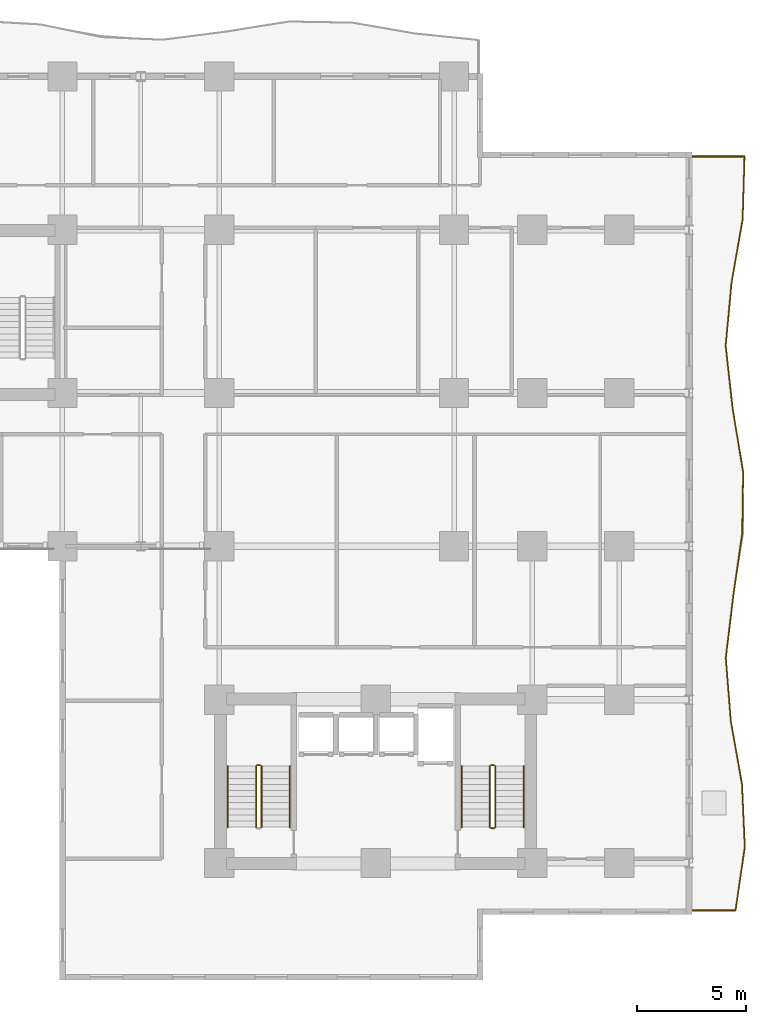
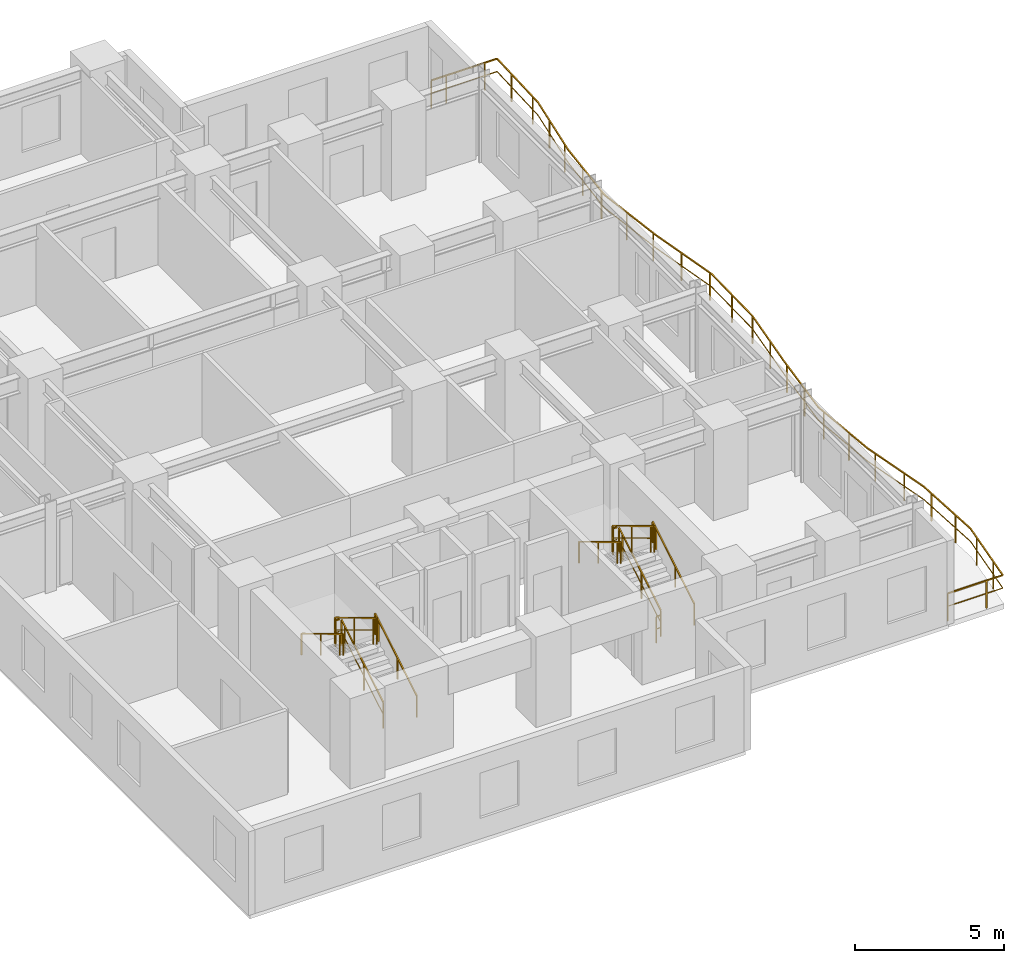
# One storey, part 10 of 11: 12 railings.
"""IFC4 building model written with IfcOpenShell, lengths in metres."""

from ifc_helpers import new_model, si_unit, direction, frame, origin, origin_2d, place, context, subcontext, project, spatial, rectangle, extrude, material, type_object, element, save


model = new_model("IFC4")

# Units and contexts
model_context = context("Model", 3, precision=1e-05, world=origin(), true_north=direction((0.0, 1.0)))
body_context = subcontext(model_context, "Body", "Model", "MODEL_VIEW")
ifc_project = project(units=[si_unit("LENGTHUNIT", "METRE"), si_unit("AREAUNIT", "SQUARE_METRE"), si_unit("VOLUMEUNIT", "CUBIC_METRE"), si_unit("PLANEANGLEUNIT", "RADIAN"), si_unit("MASSUNIT", "GRAM", prefix="KILO")], contexts=[model_context])

# Site, building, storey
site_placement = place(None, origin())
site = spatial("IfcSite", under=ifc_project, at=site_placement, CompositionType="ELEMENT")
building_placement = place(site_placement, origin())
building = spatial("IfcBuilding", under=site, at=building_placement, Name="Kaliganga Portal Commons", CompositionType="ELEMENT")
storey_placement = place(building_placement, frame((0.0, 0.0, 66.0)))
storey = spatial("IfcBuildingStorey", under=building, at=storey_placement, Name="L16", CompositionType="ELEMENT", Elevation=66.0)

# Railings
ifc_material_1 = material(Name="Laminated Safety Glass and Stainless Steel 316", Category="steel")
railing_type_1 = type_object("IfcRailingType", Name="RLG-BAL-1150", PredefinedType="BALUSTRADE", material=ifc_material_1)
railing_1_placement = place(storey_placement, frame((57.608642578125, 4.87939453125, 0.0)))
element("IfcRailing", 1, at=railing_1_placement, inside=storey, type_object=railing_type_1, Name="Balcony Guardrail L16 balc_east", PredefinedType="BALUSTRADE", context=body_context, shape_type="SweptSolid", body=[
    extrude(rectangle(XDim=0.048095703125, YDim=0.048095703125, at=origin_2d()), frame((0.0, 0.0, 1.1259765625), z_axis=(0.999999973812, 0.000228859131, 0.0), x_axis=(-0.000228859131, 0.999999973812, 0.0)), (0.0, 0.0, 1.0), 2.133544921875),
    extrude(rectangle(XDim=0.028076171875, YDim=0.028076171875, at=origin_2d()), frame((0.0, 0.0, 0.597900390625), z_axis=(0.999999973812, 0.000228859131, 0.0), x_axis=(-0.000228859131, 0.999999973812, 0.0)), (0.0, 0.0, 1.0), 2.133544921875),
    extrude(rectangle(XDim=0.048095703125, YDim=0.048095703125, at=origin_2d()), frame((2.133544921875, 0.00048828125, 1.1259765625), z_axis=(0.145187032226, 0.989404227641, 0.0), x_axis=(-0.989404227641, 0.145187032226, 0.0)), (0.0, 0.0, 1.0), 2.930908203125),
    extrude(rectangle(XDim=0.028076171875, YDim=0.028076171875, at=origin_2d()), frame((2.133544921875, 0.00048828125, 0.597900390625), z_axis=(0.145187032226, 0.989404227641, 0.0), x_axis=(-0.989404227641, 0.145187032226, 0.0)), (0.0, 0.0, 1.0), 2.930908203125),
    extrude(rectangle(XDim=0.048095703125, YDim=0.048095703125, at=origin_2d()), frame((2.55908203125, 2.900390625, 1.1259765625), z_axis=(-0.044656139695, 0.999002417008, 0.0), x_axis=(-0.999002417008, -0.044656139695, 0.0)), (0.0, 0.0, 1.0), 2.903076171875),
    extrude(rectangle(XDim=0.028076171875, YDim=0.028076171875, at=origin_2d()), frame((2.55908203125, 2.900390625, 0.597900390625), z_axis=(-0.044656139695, 0.999002417008, 0.0), x_axis=(-0.999002417008, -0.044656139695, 0.0)), (0.0, 0.0, 1.0), 2.903076171875),
    extrude(rectangle(XDim=0.048095703125, YDim=0.048095703125, at=origin_2d()), frame((2.429443359375, 5.800537109375, 1.1259765625), z_axis=(-0.174886925455, 0.98458852487, 0.0), x_axis=(-0.98458852487, -0.174886925455, 0.0)), (0.0, 0.0, 1.0), 2.945556640625),
    extrude(rectangle(XDim=0.028076171875, YDim=0.028076171875, at=origin_2d()), frame((2.429443359375, 5.800537109375, 0.597900390625), z_axis=(-0.174886925455, 0.98458852487, 0.0), x_axis=(-0.98458852487, -0.174886925455, 0.0)), (0.0, 0.0, 1.0), 2.945556640625),
    extrude(rectangle(XDim=0.048095703125, YDim=0.048095703125, at=origin_2d()), frame((1.914306640625, 8.70068359375, 1.1259765625), z_axis=(-0.078641026256, 0.996902998786, 0.0), x_axis=(-0.996902998786, -0.078641026256, 0.0)), (0.0, 0.0, 1.0), 2.908935546875),
    extrude(rectangle(XDim=0.028076171875, YDim=0.028076171875, at=origin_2d()), frame((1.914306640625, 8.70068359375, 0.597900390625), z_axis=(-0.078641026256, 0.996902998786, 0.0), x_axis=(-0.996902998786, -0.078641026256, 0.0)), (0.0, 0.0, 1.0), 2.908935546875),
    extrude(rectangle(XDim=0.048095703125, YDim=0.048095703125, at=origin_2d()), frame((1.685546875, 11.6005859375, 1.1259765625), z_axis=(0.119857090136, 0.992791155251, 0.0), x_axis=(-0.992791155251, 0.119857090136, 0.0)), (0.0, 0.0, 1.0), 2.9208984375),
    extrude(rectangle(XDim=0.028076171875, YDim=0.028076171875, at=origin_2d()), frame((1.685546875, 11.6005859375, 0.597900390625), z_axis=(0.119857090136, 0.992791155251, 0.0), x_axis=(-0.992791155251, 0.119857090136, 0.0)), (0.0, 0.0, 1.0), 2.9208984375),
    extrude(rectangle(XDim=0.048095703125, YDim=0.048095703125, at=origin_2d()), frame((2.03564453125, 14.50048828125, 1.1259765625), z_axis=(0.141997205102, 0.989867058621, 0.0), x_axis=(-0.989867058621, 0.141997205102, 0.0)), (0.0, 0.0, 1.0), 2.848876953125),
    extrude(rectangle(XDim=0.028076171875, YDim=0.028076171875, at=origin_2d()), frame((2.03564453125, 14.50048828125, 0.597900390625), z_axis=(0.141997205102, 0.989867058621, 0.0), x_axis=(-0.989867058621, 0.141997205102, 0.0)), (0.0, 0.0, 1.0), 2.848876953125),
    extrude(rectangle(XDim=0.048095703125, YDim=0.048095703125, at=origin_2d()), frame((2.440185546875, 17.320556640625, 1.1259765625), z_axis=(0.014879819845, 0.999889289352, 0.0), x_axis=(-0.999889289352, 0.014879819845, 0.0)), (0.0, 0.0, 1.0), 2.822021484375),
    extrude(rectangle(XDim=0.028076171875, YDim=0.028076171875, at=origin_2d()), frame((2.440185546875, 17.320556640625, 0.597900390625), z_axis=(0.014879819845, 0.999889289352, 0.0), x_axis=(-0.999889289352, 0.014879819845, 0.0)), (0.0, 0.0, 1.0), 2.822021484375),
    extrude(rectangle(XDim=0.048095703125, YDim=0.048095703125, at=origin_2d()), frame((2.482177734375, 20.142333984375, 1.1259765625), z_axis=(-0.163792541792, 0.986494806501, 0.0), x_axis=(-0.986494806501, -0.163792541792, 0.0)), (0.0, 0.0, 1.0), 2.93798828125),
    extrude(rectangle(XDim=0.028076171875, YDim=0.028076171875, at=origin_2d()), frame((2.482177734375, 20.142333984375, 0.597900390625), z_axis=(-0.163792541792, 0.986494806501, 0.0), x_axis=(-0.986494806501, -0.163792541792, 0.0)), (0.0, 0.0, 1.0), 2.93798828125),
    extrude(rectangle(XDim=0.048095703125, YDim=0.048095703125, at=origin_2d()), frame((2.0009765625, 23.04052734375, 1.1259765625), z_axis=(-0.109779462263, 0.993955969681, 0.0), x_axis=(-0.993955969681, -0.109779462263, 0.0)), (0.0, 0.0, 1.0), 2.917724609375),
    extrude(rectangle(XDim=0.028076171875, YDim=0.028076171875, at=origin_2d()), frame((2.0009765625, 23.04052734375, 0.597900390625), z_axis=(-0.109779462263, 0.993955969681, 0.0), x_axis=(-0.993955969681, -0.109779462263, 0.0)), (0.0, 0.0, 1.0), 2.917724609375),
    extrude(rectangle(XDim=0.048095703125, YDim=0.048095703125, at=origin_2d()), frame((1.6806640625, 25.940673828125, 1.1259765625), z_axis=(0.091964240973, 0.995762310184, 0.0), x_axis=(-0.995762310184, 0.091964240973, 0.0)), (0.0, 0.0, 1.0), 2.912353515625),
    extrude(rectangle(XDim=0.028076171875, YDim=0.028076171875, at=origin_2d()), frame((1.6806640625, 25.940673828125, 0.597900390625), z_axis=(0.091964240973, 0.995762310184, 0.0), x_axis=(-0.995762310184, 0.091964240973, 0.0)), (0.0, 0.0, 1.0), 2.912353515625),
    extrude(rectangle(XDim=0.048095703125, YDim=0.048095703125, at=origin_2d()), frame((1.948486328125, 28.840576171875, 1.1259765625), z_axis=(0.17295752884, 0.984929283359, 0.0), x_axis=(-0.984929283359, 0.17295752884, 0.0)), (0.0, 0.0, 1.0), 2.944580078125),
    extrude(rectangle(XDim=0.028076171875, YDim=0.028076171875, at=origin_2d()), frame((1.948486328125, 28.840576171875, 0.597900390625), z_axis=(0.17295752884, 0.984929283359, 0.0), x_axis=(-0.984929283359, 0.17295752884, 0.0)), (0.0, 0.0, 1.0), 2.944580078125),
    extrude(rectangle(XDim=0.048095703125, YDim=0.048095703125, at=origin_2d()), frame((2.457763671875, 31.74072265625, 1.1259765625), z_axis=(0.030041998949, 0.999548637285, 0.0), x_axis=(-0.999548637285, 0.030041998949, 0.0)), (0.0, 0.0, 1.0), 2.901123046875),
    extrude(rectangle(XDim=0.028076171875, YDim=0.028076171875, at=origin_2d()), frame((2.457763671875, 31.74072265625, 0.597900390625), z_axis=(0.030041998949, 0.999548637285, 0.0), x_axis=(-0.999548637285, 0.030041998949, 0.0)), (0.0, 0.0, 1.0), 2.901123046875),
    extrude(rectangle(XDim=0.048095703125, YDim=0.048095703125, at=origin_2d()), frame((2.544921875, 34.640625, 1.1259765625), z_axis=(-0.999999981594, 0.000191864924, 0.0), x_axis=(-0.000191864924, -0.999999981594, 0.0)), (0.0, 0.0, 1.0), 2.544921875),
    extrude(rectangle(XDim=0.028076171875, YDim=0.028076171875, at=origin_2d()), frame((2.544921875, 34.640625, 0.597900390625), z_axis=(-0.999999981594, 0.000191864924, 0.0), x_axis=(-0.000191864924, -0.999999981594, 0.0)), (0.0, 0.0, 1.0), 2.544921875),
    extrude(rectangle(XDim=0.0419921875, YDim=0.0419921875, at=origin_2d()), origin(), (0.0, 0.0, 1.0), 1.101806640625),
    extrude(rectangle(XDim=0.0419921875, YDim=0.0419921875, at=origin_2d()), frame((1.5, 0.000244140625, 0.0)), (0.0, 0.0, 1.0), 1.101806640625),
    extrude(rectangle(XDim=0.0419921875, YDim=0.0419921875, at=origin_2d()), frame((2.25927734375, 0.857666015625, 0.0)), (0.0, 0.0, 1.0), 1.101806640625),
    extrude(rectangle(XDim=0.0419921875, YDim=0.0419921875, at=origin_2d()), frame((2.47705078125, 2.341796875, 0.0)), (0.0, 0.0, 1.0), 1.101806640625),
    extrude(rectangle(XDim=0.0419921875, YDim=0.0419921875, at=origin_2d()), frame((2.517333984375, 3.8349609375, 0.0)), (0.0, 0.0, 1.0), 1.101806640625),
    extrude(rectangle(XDim=0.0419921875, YDim=0.0419921875, at=origin_2d()), frame((2.450439453125, 5.33349609375, 0.0)), (0.0, 0.0, 1.0), 1.101806640625),
    extrude(rectangle(XDim=0.0419921875, YDim=0.0419921875, at=origin_2d()), frame((2.248779296875, 6.817138671875, 0.0)), (0.0, 0.0, 1.0), 1.101806640625),
    extrude(rectangle(XDim=0.0419921875, YDim=0.0419921875, at=origin_2d()), frame((1.986572265625, 8.2939453125, 0.0)), (0.0, 0.0, 1.0), 1.101806640625),
    extrude(rectangle(XDim=0.0419921875, YDim=0.0419921875, at=origin_2d()), frame((1.828857421875, 9.7841796875, 0.0)), (0.0, 0.0, 1.0), 1.101806640625),
    extrude(rectangle(XDim=0.0419921875, YDim=0.0419921875, at=origin_2d()), frame((1.7109375, 11.279541015625, 0.0)), (0.0, 0.0, 1.0), 1.101806640625),
    extrude(rectangle(XDim=0.0419921875, YDim=0.0419921875, at=origin_2d()), frame((1.82666015625, 12.77001953125, 0.0)), (0.0, 0.0, 1.0), 1.101806640625),
    extrude(rectangle(XDim=0.0419921875, YDim=0.0419921875, at=origin_2d()), frame((2.006591796875, 14.25927734375, 0.0)), (0.0, 0.0, 1.0), 1.101806640625),
    extrude(rectangle(XDim=0.0419921875, YDim=0.0419921875, at=origin_2d()), frame((2.214111328125, 15.744873046875, 0.0)), (0.0, 0.0, 1.0), 1.101806640625),
    extrude(rectangle(XDim=0.0419921875, YDim=0.0419921875, at=origin_2d()), frame((2.440185546875, 17.320556640625, 0.0)), (0.0, 0.0, 1.0), 1.101806640625),
    extrude(rectangle(XDim=0.0419921875, YDim=0.0419921875, at=origin_2d()), frame((2.461181640625, 18.728515625, 0.0)), (0.0, 0.0, 1.0), 1.101806640625),
    extrude(rectangle(XDim=0.0419921875, YDim=0.0419921875, at=origin_2d()), frame((2.468017578125, 20.227294921875, 0.0)), (0.0, 0.0, 1.0), 1.101806640625),
    extrude(rectangle(XDim=0.0419921875, YDim=0.0419921875, at=origin_2d()), frame((2.222412109375, 21.70703125, 0.0)), (0.0, 0.0, 1.0), 1.101806640625),
    extrude(rectangle(XDim=0.0419921875, YDim=0.0419921875, at=origin_2d()), frame((1.984619140625, 23.187744140625, 0.0)), (0.0, 0.0, 1.0), 1.101806640625),
    extrude(rectangle(XDim=0.0419921875, YDim=0.0419921875, at=origin_2d()), frame((1.820068359375, 24.6787109375, 0.0)), (0.0, 0.0, 1.0), 1.101806640625),
    extrude(rectangle(XDim=0.0419921875, YDim=0.0419921875, at=origin_2d()), frame((1.701904296875, 26.170166015625, 0.0)), (0.0, 0.0, 1.0), 1.101806640625),
    extrude(rectangle(XDim=0.0419921875, YDim=0.0419921875, at=origin_2d()), frame((1.83984375, 27.663818359375, 0.0)), (0.0, 0.0, 1.0), 1.101806640625),
    extrude(rectangle(XDim=0.0419921875, YDim=0.0419921875, at=origin_2d()), frame((2.00341796875, 29.15380859375, 0.0)), (0.0, 0.0, 1.0), 1.101806640625),
    extrude(rectangle(XDim=0.0419921875, YDim=0.0419921875, at=origin_2d()), frame((2.262939453125, 30.63134765625, 0.0)), (0.0, 0.0, 1.0), 1.101806640625),
    extrude(rectangle(XDim=0.0419921875, YDim=0.0419921875, at=origin_2d()), frame((2.468994140625, 32.1142578125, 0.0)), (0.0, 0.0, 1.0), 1.101806640625),
    extrude(rectangle(XDim=0.0419921875, YDim=0.0419921875, at=origin_2d()), frame((2.51416015625, 33.613525390625, 0.0)), (0.0, 0.0, 1.0), 1.101806640625),
    extrude(rectangle(XDim=0.0419921875, YDim=0.0419921875, at=origin_2d()), frame((2.072509765625, 34.640625, 0.0)), (0.0, 0.0, 1.0), 1.101806640625),
    extrude(rectangle(XDim=0.0419921875, YDim=0.0419921875, at=origin_2d()), frame((0.572509765625, 34.64111328125, 0.0)), (0.0, 0.0, 1.0), 1.101806640625),
    extrude(rectangle(XDim=0.0419921875, YDim=0.0419921875, at=origin_2d()), frame((0.0, 34.64111328125, 0.0)), (0.0, 0.0, 1.0), 1.101806640625),
])
ifc_material_2 = material(Name="Galvanized Painted Steel Balustrade", Category="steel")
railing_type_2 = type_object("IfcRailingType", Name="RLG-STAIR-GRD", PredefinedType="GUARDRAIL", material=ifc_material_2)
railing_2_placement = place(storey_placement, frame((37.949951171875, 8.699951171875, 0.168212890625)))
element("IfcRailing", 2, at=railing_2_placement, inside=storey, type_object=railing_type_2, Name="L16 ST-B1 stair guard 1", PredefinedType="GUARDRAIL", context=body_context, shape_type="SweptSolid", body=[
    extrude(rectangle(XDim=0.048095703125, YDim=0.048095703125, at=origin_2d()), frame((0.0, 0.0, 1.072021484375), z_axis=(0.0, 0.857242210791, 0.514913383045), x_axis=(-1.0, 0.0, 0.0)), (0.0, 0.0, 1.0), 3.266357421875),
    extrude(rectangle(XDim=0.028076171875, YDim=0.028076171875, at=origin_2d()), frame((0.0, 0.0, 0.572021484375), z_axis=(0.0, 0.857242210791, 0.514913383045), x_axis=(-1.0, 0.0, 0.0)), (0.0, 0.0, 1.0), 3.266357421875),
    extrude(rectangle(XDim=0.0419921875, YDim=0.0419921875, at=origin_2d()), origin(), (0.0, 0.0, 1.0), 1.052001953125),
    extrude(rectangle(XDim=0.0419921875, YDim=0.0419921875, at=origin_2d()), frame((0.0, 1.285888671875, 0.7724609375)), (0.0, 0.0, 1.0), 1.052001953125),
    extrude(rectangle(XDim=0.0419921875, YDim=0.0419921875, at=origin_2d()), frame((0.0, 2.57177734375, 1.544677734375)), (0.0, 0.0, 1.0), 1.052001953125),
    extrude(rectangle(XDim=0.0419921875, YDim=0.0419921875, at=origin_2d()), frame((0.0, 2.800048828125, 1.681884765625)), (0.0, 0.0, 1.0), 1.052001953125),
])
railing_3_placement = place(storey_placement, frame((37.89990234375, 11.550048828125, 1.85009765625)))
element("IfcRailing", 3, at=railing_3_placement, inside=storey, type_object=railing_type_2, Name="L16 ST-B1 stair guard 2", PredefinedType="GUARDRAIL", context=body_context, shape_type="SweptSolid", body=[
    extrude(rectangle(XDim=0.048095703125, YDim=0.048095703125, at=origin_2d()), frame((0.0, 0.0, 1.076171875), z_axis=(-1.0, 0.0, 0.0), x_axis=(0.0, -1.0, 0.0)), (0.0, 0.0, 1.0), 0.14990234375),
    extrude(rectangle(XDim=0.028076171875, YDim=0.028076171875, at=origin_2d()), frame((0.0, 0.0, 0.572021484375), z_axis=(-1.0, 0.0, 0.0), x_axis=(0.0, -1.0, 0.0)), (0.0, 0.0, 1.0), 0.14990234375),
    extrude(rectangle(XDim=0.0419921875, YDim=0.0419921875, at=origin_2d()), frame((-0.14990234375, 0.0, 0.0)), (0.0, 0.0, 1.0), 1.052001953125),
])
railing_4_placement = place(storey_placement, frame((37.699951171875, 11.5, 2.01806640625)))
element("IfcRailing", 4, at=railing_4_placement, inside=storey, type_object=railing_type_2, Name="L16 ST-B1 stair guard 3", PredefinedType="GUARDRAIL", context=body_context, shape_type="SweptSolid", body=[
    extrude(rectangle(XDim=0.048095703125, YDim=0.048095703125, at=origin_2d()), frame((0.0, 0.0, 1.072021484375), z_axis=(0.0, -0.857242210791, 0.514913383045), x_axis=(1.0, 0.0, 0.0)), (0.0, 0.0, 1.0), 3.266357421875),
    extrude(rectangle(XDim=0.028076171875, YDim=0.028076171875, at=origin_2d()), frame((0.0, 0.0, 0.572021484375), z_axis=(0.0, -0.857242210791, 0.514913383045), x_axis=(1.0, 0.0, 0.0)), (0.0, 0.0, 1.0), 3.266357421875),
    extrude(rectangle(XDim=0.0419921875, YDim=0.0419921875, at=origin_2d()), origin(), (0.0, 0.0, 1.0), 1.052001953125),
    extrude(rectangle(XDim=0.0419921875, YDim=0.0419921875, at=origin_2d()), frame((0.0, -1.285888671875, 0.7724609375)), (0.0, 0.0, 1.0), 1.052001953125),
    extrude(rectangle(XDim=0.0419921875, YDim=0.0419921875, at=origin_2d()), frame((0.0, -2.57177734375, 1.544677734375)), (0.0, 0.0, 1.0), 1.052001953125),
    extrude(rectangle(XDim=0.0419921875, YDim=0.0419921875, at=origin_2d()), frame((0.0, -2.800048828125, 1.681884765625)), (0.0, 0.0, 1.0), 1.052001953125),
])
railing_5_placement = place(storey_placement, frame((48.699951171875, 8.699951171875, 0.168212890625)))
element("IfcRailing", 5, at=railing_5_placement, inside=storey, type_object=railing_type_2, Name="L16 ST-B2 stair guard 1", PredefinedType="GUARDRAIL", context=body_context, shape_type="SweptSolid", body=[
    extrude(rectangle(XDim=0.048095703125, YDim=0.048095703125, at=origin_2d()), frame((0.0, 0.0, 1.072021484375), z_axis=(0.0, 0.857242210791, 0.514913383045), x_axis=(-1.0, 0.0, 0.0)), (0.0, 0.0, 1.0), 3.266357421875),
    extrude(rectangle(XDim=0.028076171875, YDim=0.028076171875, at=origin_2d()), frame((0.0, 0.0, 0.572021484375), z_axis=(0.0, 0.857242210791, 0.514913383045), x_axis=(-1.0, 0.0, 0.0)), (0.0, 0.0, 1.0), 3.266357421875),
    extrude(rectangle(XDim=0.0419921875, YDim=0.0419921875, at=origin_2d()), origin(), (0.0, 0.0, 1.0), 1.052001953125),
    extrude(rectangle(XDim=0.0419921875, YDim=0.0419921875, at=origin_2d()), frame((0.0, 1.285888671875, 0.7724609375)), (0.0, 0.0, 1.0), 1.052001953125),
    extrude(rectangle(XDim=0.0419921875, YDim=0.0419921875, at=origin_2d()), frame((0.0, 2.57177734375, 1.544677734375)), (0.0, 0.0, 1.0), 1.052001953125),
    extrude(rectangle(XDim=0.0419921875, YDim=0.0419921875, at=origin_2d()), frame((0.0, 2.800048828125, 1.681884765625)), (0.0, 0.0, 1.0), 1.052001953125),
])
railing_6_placement = place(storey_placement, frame((48.64990234375, 11.550048828125, 1.85009765625)))
element("IfcRailing", 6, at=railing_6_placement, inside=storey, type_object=railing_type_2, Name="L16 ST-B2 stair guard 2", PredefinedType="GUARDRAIL", context=body_context, shape_type="SweptSolid", body=[
    extrude(rectangle(XDim=0.048095703125, YDim=0.048095703125, at=origin_2d()), frame((0.0, 0.0, 1.076171875), z_axis=(-1.0, 0.0, 0.0), x_axis=(0.0, -1.0, 0.0)), (0.0, 0.0, 1.0), 0.14990234375),
    extrude(rectangle(XDim=0.028076171875, YDim=0.028076171875, at=origin_2d()), frame((0.0, 0.0, 0.572021484375), z_axis=(-1.0, 0.0, 0.0), x_axis=(0.0, -1.0, 0.0)), (0.0, 0.0, 1.0), 0.14990234375),
    extrude(rectangle(XDim=0.0419921875, YDim=0.0419921875, at=origin_2d()), frame((-0.14990234375, 0.0, 0.0)), (0.0, 0.0, 1.0), 1.052001953125),
])
railing_7_placement = place(storey_placement, frame((48.449951171875, 11.5, 2.01806640625)))
element("IfcRailing", 7, at=railing_7_placement, inside=storey, type_object=railing_type_2, Name="L16 ST-B2 stair guard 3", PredefinedType="GUARDRAIL", context=body_context, shape_type="SweptSolid", body=[
    extrude(rectangle(XDim=0.048095703125, YDim=0.048095703125, at=origin_2d()), frame((0.0, 0.0, 1.072021484375), z_axis=(0.0, -0.857242210791, 0.514913383045), x_axis=(1.0, 0.0, 0.0)), (0.0, 0.0, 1.0), 3.266357421875),
    extrude(rectangle(XDim=0.028076171875, YDim=0.028076171875, at=origin_2d()), frame((0.0, 0.0, 0.572021484375), z_axis=(0.0, -0.857242210791, 0.514913383045), x_axis=(1.0, 0.0, 0.0)), (0.0, 0.0, 1.0), 3.266357421875),
    extrude(rectangle(XDim=0.0419921875, YDim=0.0419921875, at=origin_2d()), origin(), (0.0, 0.0, 1.0), 1.052001953125),
    extrude(rectangle(XDim=0.0419921875, YDim=0.0419921875, at=origin_2d()), frame((0.0, -1.285888671875, 0.7724609375)), (0.0, 0.0, 1.0), 1.052001953125),
    extrude(rectangle(XDim=0.0419921875, YDim=0.0419921875, at=origin_2d()), frame((0.0, -2.57177734375, 1.544677734375)), (0.0, 0.0, 1.0), 1.052001953125),
    extrude(rectangle(XDim=0.0419921875, YDim=0.0419921875, at=origin_2d()), frame((0.0, -2.800048828125, 1.681884765625)), (0.0, 0.0, 1.0), 1.052001953125),
])
railing_8_placement = place(storey_placement, frame((48.64990234375, 8.64990234375, 0.0)))
element("IfcRailing", 8, at=railing_8_placement, inside=storey, type_object=railing_type_2, Name="L16 ST-B2 stair guard 4", PredefinedType="GUARDRAIL", context=body_context, shape_type="SweptSolid", body=[
    extrude(rectangle(XDim=0.048095703125, YDim=0.048095703125, at=origin_2d()), frame((0.0, 0.0, 1.076171875), z_axis=(-1.0, 0.0, 0.0), x_axis=(0.0, -1.0, 0.0)), (0.0, 0.0, 1.0), 0.14990234375),
    extrude(rectangle(XDim=0.028076171875, YDim=0.028076171875, at=origin_2d()), frame((0.0, 0.0, 0.572021484375), z_axis=(-1.0, 0.0, 0.0), x_axis=(0.0, -1.0, 0.0)), (0.0, 0.0, 1.0), 0.14990234375),
    extrude(rectangle(XDim=0.0419921875, YDim=0.0419921875, at=origin_2d()), frame((-0.14990234375, 0.0, 0.0)), (0.0, 0.0, 1.0), 1.052001953125),
])
ifc_material_3 = material(Name="Brushed Stainless Steel 316", Category="steel")
railing_type_3 = type_object("IfcRailingType", Name="RLG-STAIR-HR", PredefinedType="HANDRAIL", material=ifc_material_3)
railing_9_placement = place(storey_placement, frame((39.25, 8.699951171875, 0.168212890625)))
element("IfcRailing", 9, at=railing_9_placement, inside=storey, type_object=railing_type_3, Name="L16 ST-B1 stair handrail 1", PredefinedType="HANDRAIL", context=body_context, shape_type="SweptSolid", body=[
    extrude(rectangle(XDim=0.048095703125, YDim=0.048095703125, at=origin_2d()), frame((0.0, 0.0, 0.871826171875), z_axis=(0.0, 0.857242210791, 0.514913383045), x_axis=(-1.0, 0.0, 0.0)), (0.0, 0.0, 1.0), 3.266357421875),
    extrude(rectangle(XDim=0.0419921875, YDim=0.0419921875, at=origin_2d()), origin(), (0.0, 0.0, 1.0), 0.851806640625),
    extrude(rectangle(XDim=0.0419921875, YDim=0.0419921875, at=origin_2d()), frame((0.0, 1.285888671875, 0.7724609375)), (0.0, 0.0, 1.0), 0.851806640625),
    extrude(rectangle(XDim=0.0419921875, YDim=0.0419921875, at=origin_2d()), frame((0.0, 2.57177734375, 1.544677734375)), (0.0, 0.0, 1.0), 0.851806640625),
    extrude(rectangle(XDim=0.0419921875, YDim=0.0419921875, at=origin_2d()), frame((0.0, 2.800048828125, 1.681884765625)), (0.0, 0.0, 1.0), 0.851806640625),
])
railing_10_placement = place(storey_placement, frame((36.39990234375, 11.5, 2.01806640625)))
element("IfcRailing", 10, at=railing_10_placement, inside=storey, type_object=railing_type_3, Name="L16 ST-B1 stair handrail 2", PredefinedType="HANDRAIL", context=body_context, shape_type="SweptSolid", body=[
    extrude(rectangle(XDim=0.048095703125, YDim=0.048095703125, at=origin_2d()), frame((0.0, 0.0, 0.871826171875), z_axis=(0.0, -0.857242210791, 0.514913383045), x_axis=(1.0, 0.0, 0.0)), (0.0, 0.0, 1.0), 3.266357421875),
    extrude(rectangle(XDim=0.0419921875, YDim=0.0419921875, at=origin_2d()), origin(), (0.0, 0.0, 1.0), 0.851806640625),
    extrude(rectangle(XDim=0.0419921875, YDim=0.0419921875, at=origin_2d()), frame((0.0, -1.285888671875, 0.7724609375)), (0.0, 0.0, 1.0), 0.851806640625),
    extrude(rectangle(XDim=0.0419921875, YDim=0.0419921875, at=origin_2d()), frame((0.0, -2.57177734375, 1.544677734375)), (0.0, 0.0, 1.0), 0.851806640625),
    extrude(rectangle(XDim=0.0419921875, YDim=0.0419921875, at=origin_2d()), frame((0.0, -2.800048828125, 1.681884765625)), (0.0, 0.0, 1.0), 0.851806640625),
])
railing_11_placement = place(storey_placement, frame((50.0, 8.699951171875, 0.168212890625)))
element("IfcRailing", 11, at=railing_11_placement, inside=storey, type_object=railing_type_3, Name="L16 ST-B2 stair handrail 1", PredefinedType="HANDRAIL", context=body_context, shape_type="SweptSolid", body=[
    extrude(rectangle(XDim=0.048095703125, YDim=0.048095703125, at=origin_2d()), frame((0.0, 0.0, 0.871826171875), z_axis=(0.0, 0.857242210791, 0.514913383045), x_axis=(-1.0, 0.0, 0.0)), (0.0, 0.0, 1.0), 3.266357421875),
    extrude(rectangle(XDim=0.0419921875, YDim=0.0419921875, at=origin_2d()), origin(), (0.0, 0.0, 1.0), 0.851806640625),
    extrude(rectangle(XDim=0.0419921875, YDim=0.0419921875, at=origin_2d()), frame((0.0, 1.285888671875, 0.7724609375)), (0.0, 0.0, 1.0), 0.851806640625),
    extrude(rectangle(XDim=0.0419921875, YDim=0.0419921875, at=origin_2d()), frame((0.0, 2.57177734375, 1.544677734375)), (0.0, 0.0, 1.0), 0.851806640625),
    extrude(rectangle(XDim=0.0419921875, YDim=0.0419921875, at=origin_2d()), frame((0.0, 2.800048828125, 1.681884765625)), (0.0, 0.0, 1.0), 0.851806640625),
])
railing_12_placement = place(storey_placement, frame((47.14990234375, 11.5, 2.01806640625)))
element("IfcRailing", 12, at=railing_12_placement, inside=storey, type_object=railing_type_3, Name="L16 ST-B2 stair handrail 2", PredefinedType="HANDRAIL", context=body_context, shape_type="SweptSolid", body=[
    extrude(rectangle(XDim=0.048095703125, YDim=0.048095703125, at=origin_2d()), frame((0.0, 0.0, 0.871826171875), z_axis=(0.0, -0.857242210791, 0.514913383045), x_axis=(1.0, 0.0, 0.0)), (0.0, 0.0, 1.0), 3.266357421875),
    extrude(rectangle(XDim=0.0419921875, YDim=0.0419921875, at=origin_2d()), origin(), (0.0, 0.0, 1.0), 0.851806640625),
    extrude(rectangle(XDim=0.0419921875, YDim=0.0419921875, at=origin_2d()), frame((0.0, -1.285888671875, 0.7724609375)), (0.0, 0.0, 1.0), 0.851806640625),
    extrude(rectangle(XDim=0.0419921875, YDim=0.0419921875, at=origin_2d()), frame((0.0, -2.57177734375, 1.544677734375)), (0.0, 0.0, 1.0), 0.851806640625),
    extrude(rectangle(XDim=0.0419921875, YDim=0.0419921875, at=origin_2d()), frame((0.0, -2.800048828125, 1.681884765625)), (0.0, 0.0, 1.0), 0.851806640625),
])

save(model, "model.ifc")
